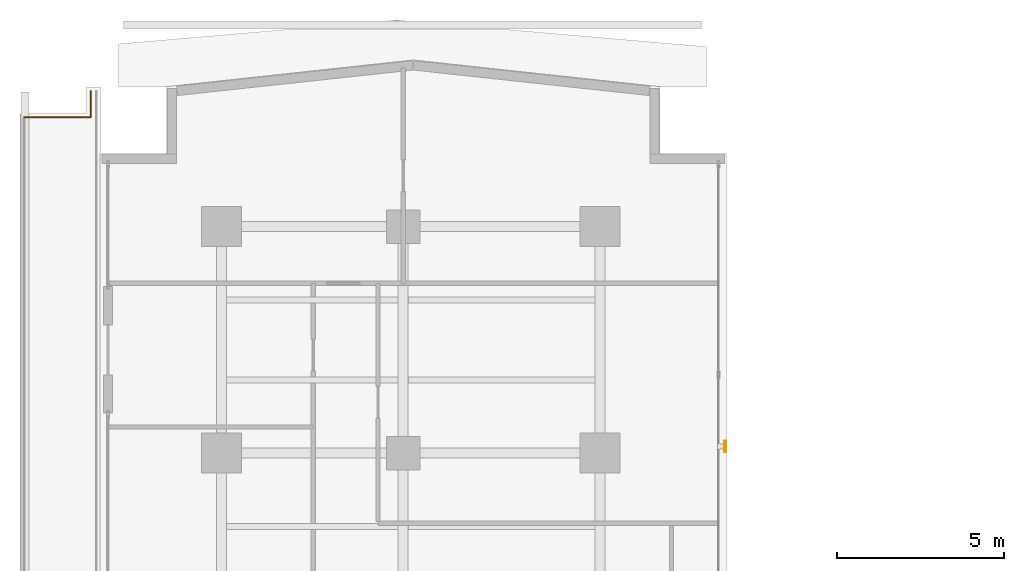
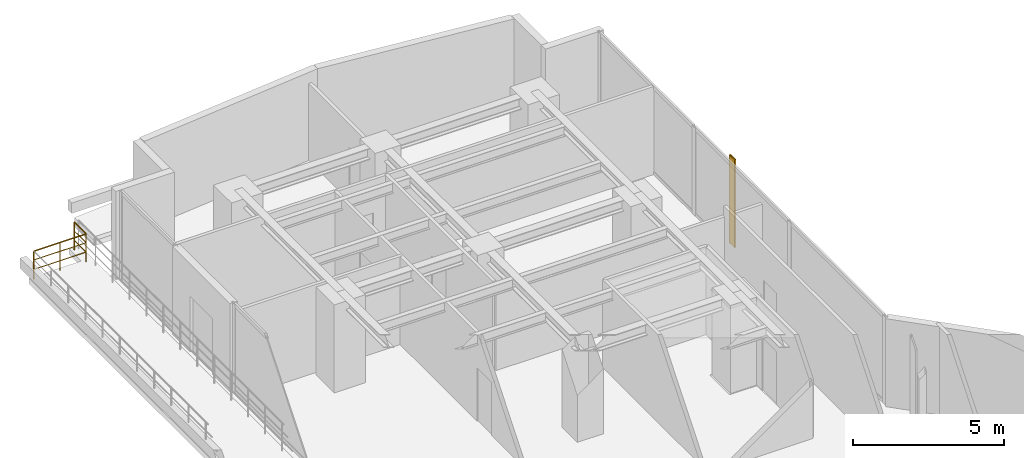
# One storey, part 28 of 28: 2 railings, 1 shading device.
"""IFC4 building model written with IfcOpenShell, lengths in metres."""

from ifc_helpers import new_model, si_unit, direction, frame, origin, origin_2d, place, context, subcontext, project, spatial, hollow_rectangle, circle, extrude, material, material_profile, profile_set, type_object, element, save


model = new_model("IFC4")

# Units and contexts
model_context = context("Model", 3, precision=1e-05, world=origin(), true_north=direction((0.0, 1.0)))
body_context = subcontext(model_context, "Body", "Model", "MODEL_VIEW")
ifc_project = project(units=[si_unit("LENGTHUNIT", "METRE"), si_unit("AREAUNIT", "SQUARE_METRE"), si_unit("VOLUMEUNIT", "CUBIC_METRE"), si_unit("PLANEANGLEUNIT", "RADIAN"), si_unit("MASSUNIT", "GRAM", prefix="KILO")], contexts=[model_context])

# Site, building, storey
site_placement = place(None, origin())
site = spatial("IfcSite", under=ifc_project, at=site_placement, CompositionType="ELEMENT")
building_placement = place(site_placement, origin())
building = spatial("IfcBuilding", under=site, at=building_placement, Name="Kolvaren Waterfront Exchange", CompositionType="ELEMENT")
storey_placement = place(building_placement, frame((0.0, 0.0, 146.199951171875)))
storey = spatial("IfcBuildingStorey", under=building, at=storey_placement, Name="L37", CompositionType="ELEMENT", Elevation=146.199951171875)

# Shading device
ifc_material = material(Name="Anodised bronze aluminium 6063-T6", Category="aluminium")
ifc_material_profile = material_profile(ifc_material, hollow_rectangle(XDim=0.06005859375, YDim=0.35009765625, WallThickness=0.0048828125, at=origin_2d()), Name="BRZ-FIN-350x60x5")
ifc_profile_set = profile_set([ifc_material_profile], Name="Anodised bronze aluminium 6063-T6")
shading_device_type = type_object("IfcShadingDeviceType", Name="ARC-FIN-350", PredefinedType="USERDEFINED", material=ifc_profile_set)
shading_device_placement = place(storey_placement, frame((22.56005859375, 38.0, 0.0), z_axis=(0.0, 0.0, 1.0), x_axis=(1.0, 0.0, 0.0)))
element("IfcShadingDevice", 1, at=shading_device_placement, inside=storey, type_object=shading_device_type, Name="L37 anodised bronze solar shading fin FIN-L37-E3", ObjectType="SOLAR FIN", PredefinedType="USERDEFINED", context=body_context, shape_type="SweptSolid", body=[
    extrude(hollow_rectangle(XDim=0.06005859375, YDim=0.35009765625, WallThickness=0.0048828125, at=origin_2d()), origin(), (0.0, 0.0, 1.0), 3.56005859375),
])

# Railings
railing_type = type_object("IfcRailingType", Name="ARC-GUARD-EXT", PredefinedType="GUARDRAIL", material=ifc_material)
railing_1_placement = place(storey_placement, frame((1.52001953125, 47.8798828125, 0.0)))
element("IfcRailing", 2, at=railing_1_placement, inside=storey, type_object=railing_type, Name="L37 sky-garden perimeter balustrade 2", PredefinedType="GUARDRAIL", context=body_context, shape_type="SweptSolid", body=[
    extrude(circle(Radius=0.02392578125, at=origin_2d()), frame((0.0, 0.0, 1.1259765625), z_axis=(1.0, 0.0, 0.0), x_axis=(0.0, 1.0, 0.0)), (0.0, 0.0, 1.0), 2.0),
    extrude(circle(Radius=0.01611328125, at=origin_2d()), frame((0.0, 0.0, 0.390869140625), z_axis=(1.0, 0.0, 0.0), x_axis=(0.0, 1.0, 0.0)), (0.0, 0.0, 1.0), 2.0),
    extrude(circle(Radius=0.01611328125, at=origin_2d()), frame((0.0, 0.0, 0.7705078125), z_axis=(1.0, 0.0, 0.0), x_axis=(0.0, 1.0, 0.0)), (0.0, 0.0, 1.0), 2.0),
    extrude(circle(Radius=0.02099609375, at=origin_2d()), origin(), (0.0, 0.0, 1.0), 1.101806640625),
    extrude(circle(Radius=0.02099609375, at=origin_2d()), frame((1.0, 0.0, 0.0)), (0.0, 0.0, 1.0), 1.101806640625),
    extrude(circle(Radius=0.02099609375, at=origin_2d()), frame((2.0, 0.0, 0.0)), (0.0, 0.0, 1.0), 1.101806640625),
])
railing_2_placement = place(storey_placement, frame((3.52001953125, 47.8798828125, 0.0)))
element("IfcRailing", 3, at=railing_2_placement, inside=storey, type_object=railing_type, Name="L37 sky-garden perimeter balustrade 2", PredefinedType="GUARDRAIL", context=body_context, shape_type="SweptSolid", body=[
    extrude(circle(Radius=0.02392578125, at=origin_2d()), frame((0.0, 0.0, 1.1259765625), z_axis=(0.0, 1.0, 0.0), x_axis=(-1.0, 0.0, 0.0)), (0.0, 0.0, 1.0), 0.7900390625),
    extrude(circle(Radius=0.01611328125, at=origin_2d()), frame((0.0, 0.0, 0.390869140625), z_axis=(0.0, 1.0, 0.0), x_axis=(-1.0, 0.0, 0.0)), (0.0, 0.0, 1.0), 0.7900390625),
    extrude(circle(Radius=0.01611328125, at=origin_2d()), frame((0.0, 0.0, 0.7705078125), z_axis=(0.0, 1.0, 0.0), x_axis=(-1.0, 0.0, 0.0)), (0.0, 0.0, 1.0), 0.7900390625),
    extrude(circle(Radius=0.02099609375, at=origin_2d()), origin(), (0.0, 0.0, 1.0), 1.101806640625),
    extrude(circle(Radius=0.02099609375, at=origin_2d()), frame((0.0, 0.7900390625, 0.0)), (0.0, 0.0, 1.0), 1.101806640625),
])

save(model, "model.ifc")
